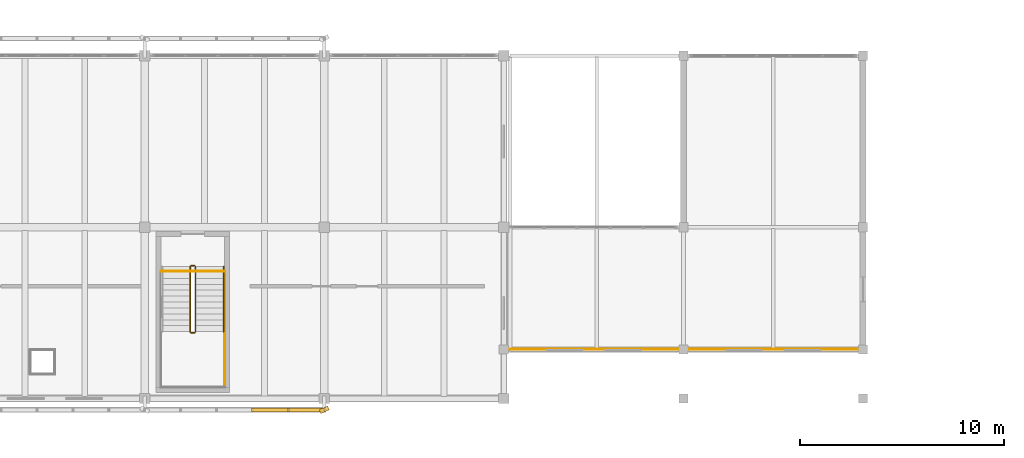
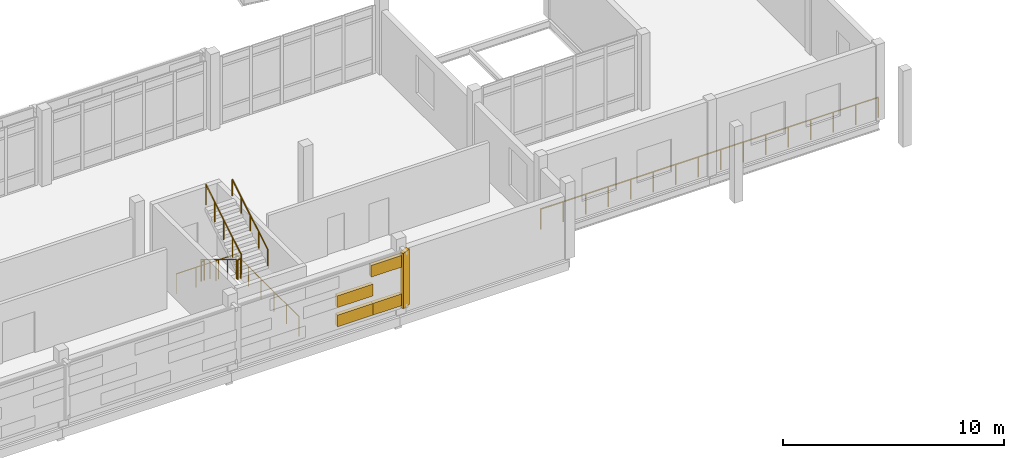
# One storey, part 126 of 137: 8 railings, 5 coverings.
"""IFC4 building model written with IfcOpenShell, lengths in metres."""

import ifcopenshell
import ifcopenshell.guid

model = None  # the IFC model being written
_history = None  # IfcOwnerHistory: only IFC2X3 demands one
_inside = {}  # id of a spatial element -> (the spatial element, [elements in it])
_under = {}  # id of a project, library or spatial element -> (it, [spatial elements below it])
_declared = {}  # id of a project -> (the project, [libraries it declares])
_typed = {}  # id of a type object -> (the type object, [elements of that type])
_made_of = {}  # id of a material, layer set ... -> (it, [elements and type objects made of it])


def new_model(schema):
    """Start an empty IFC model of exactly this schema.

    Asked for "IFC4X3", IfcOpenShell would pick the latest addendum, in which some entities
    have other attributes; the version numbers below select the first issue.
    IFC2X3 requires an IfcOwnerHistory on every rooted entity: one is made here for all.
    """
    global model, _history
    if schema == "IFC4X3":
        model = ifcopenshell.file(schema_version=(4, 3, 0, 0))
    else:
        model = ifcopenshell.file(schema=schema)
    _inside.clear()
    _under.clear()
    _declared.clear()
    _typed.clear()
    _made_of.clear()
    _history = None
    if model.schema == "IFC2X3":
        org = make("IfcOrganization", Name="unknown")
        user = make(
            "IfcPersonAndOrganization",
            ThePerson=make("IfcPerson", FamilyName="unknown"),
            TheOrganization=org,
        )
        app = make(
            "IfcApplication",
            ApplicationDeveloper=org,
            Version="unknown",
            ApplicationFullName="unknown",
            ApplicationIdentifier="unknown",
        )
        _history = make(
            "IfcOwnerHistory",
            OwningUser=user,
            OwningApplication=app,
            ChangeAction="ADDED",
            CreationDate=0,
        )
    return model


def make(cls, **values):
    """One entity of the class cls with the attributes given. An attribute that is None is left unset."""
    return model.create_entity(
        cls, **{name: value for name, value in values.items() if value is not None}
    )


def rooted(cls, **values):
    """An entity with a GlobalId (a new one), such as an element, a storey or a relation."""
    return make(cls, GlobalId=ifcopenshell.guid.new(), OwnerHistory=_history, **values)


def si_unit(unit_type, name, prefix=None):
    """IfcSIUnit, for example si_unit("LENGTHUNIT", "METRE", prefix="MILLI")."""
    return make("IfcSIUnit", UnitType=unit_type, Prefix=prefix, Name=name)


def assignment(units):
    """IfcUnitAssignment: the units of a project."""
    return None if units is None else make("IfcUnitAssignment", Units=units)


def point(xyz):
    """IfcCartesianPoint."""
    return None if xyz is None else make("IfcCartesianPoint", Coordinates=xyz)


def direction(xyz):
    """IfcDirection."""
    return None if xyz is None else make("IfcDirection", DirectionRatios=xyz)


def frame(location, z_axis=None, x_axis=None):
    """IfcAxis2Placement3D, a coordinate frame: its origin and axes. An axis left out is left unset."""
    return make(
        "IfcAxis2Placement3D",
        Location=point(location),
        Axis=direction(z_axis),
        RefDirection=direction(x_axis),
    )


def frame_2d(location, x_axis=None):
    """IfcAxis2Placement2D, a coordinate frame in the plane: its origin and x axis."""
    return make(
        "IfcAxis2Placement2D", Location=point(location), RefDirection=direction(x_axis)
    )


def origin():
    """The frame at (0, 0, 0) with its axes left unset."""
    return frame((0.0, 0.0, 0.0))


def origin_2d():
    """The frame at (0, 0) in the plane with its x axis left unset."""
    return frame_2d((0.0, 0.0))


def place(relative_to, where):
    """IfcLocalPlacement: puts the frame where relative to a parent placement (None: the world)."""
    return make(
        "IfcLocalPlacement", PlacementRelTo=relative_to, RelativePlacement=where
    )


def context(
    kind, dimensions, precision=None, world=None, true_north=None, identifier=None
):
    """IfcGeometricRepresentationContext, for example the 3D "Model" context."""
    return make(
        "IfcGeometricRepresentationContext",
        ContextIdentifier=identifier,
        ContextType=kind,
        CoordinateSpaceDimension=dimensions,
        Precision=precision,
        WorldCoordinateSystem=world,
        TrueNorth=true_north,
    )


def subcontext(parent, identifier, kind, view, scale=None):
    """IfcGeometricRepresentationSubContext, for example "Body" below "Model"."""
    return make(
        "IfcGeometricRepresentationSubContext",
        ContextIdentifier=identifier,
        ContextType=kind,
        ParentContext=parent,
        TargetScale=scale,
        TargetView=view,
    )


def project(units=None, contexts=None):
    """IfcProject with its units and contexts."""
    return rooted(
        "IfcProject",
        Name="project",
        RepresentationContexts=contexts,
        UnitsInContext=assignment(units),
    )


def spatial(cls, under=None, at=None, **own):
    """A site, building, storey or space (cls), placed at a placement, below another one or the project."""
    s = rooted(cls, ObjectPlacement=at, **own)
    if under is not None:
        _under.setdefault(under.id(), (under, []))[1].append(s)
    return s


def profile(cls, at=None, kind="AREA", **sizes):
    """A parametric profile (cls). Its sizes go by their IFC names, for example OverallWidth=200.0."""
    return make(cls, ProfileType=kind, Position=at, **sizes)


def rectangle(**sizes):
    """IfcRectangleProfileDef."""
    return profile("IfcRectangleProfileDef", **sizes)


def circle(**sizes):
    """IfcCircleProfileDef."""
    return profile("IfcCircleProfileDef", **sizes)


def extrude(swept, where, along, depth):
    """IfcExtrudedAreaSolid: the profile swept, set in the frame where, extruded along a direction by depth."""
    return make(
        "IfcExtrudedAreaSolid",
        SweptArea=swept,
        Position=where,
        ExtrudedDirection=direction(along),
        Depth=depth,
    )


def shape(context_of_items, identifier, shape_type, items):
    """IfcShapeRepresentation: the items that make up one representation, for example the "Body"."""
    return make(
        "IfcShapeRepresentation",
        ContextOfItems=context_of_items,
        RepresentationIdentifier=identifier,
        RepresentationType=shape_type,
        Items=items,
    )


def material(Name=None, Category=None):
    """IfcMaterial."""
    return make("IfcMaterial", Name=Name, Category=Category)


def layer(
    of_material, thickness, ventilated=None, Name=None, Category=None, Priority=None
):
    """IfcMaterialLayer: one layer of a wall or slab, of a material (None: an air gap)."""
    return make(
        "IfcMaterialLayer",
        Material=of_material,
        LayerThickness=thickness,
        IsVentilated=ventilated,
        Name=Name,
        Category=Category,
        Priority=Priority,
    )


def layer_set(layers, Name=None):
    """IfcMaterialLayerSet."""
    return make("IfcMaterialLayerSet", MaterialLayers=layers, LayerSetName=Name)


def made_of(thing, what):
    """Note that an element or type object is made of a material, layer set ...; save() writes the relation."""
    if what is not None:
        _made_of.setdefault(what.id(), (what, []))[1].append(thing)
    return thing


def type_object(cls, material=None, **own):
    """A type object (cls), such as IfcWallType, which elements share."""
    return made_of(rooted(cls, **own), material)


def element(
    cls,
    number,
    at=None,
    inside=None,
    cuts=None,
    type_object=None,
    material=None,
    context=None,
    identifier="Body",
    shape_type=None,
    held_by="IfcProductDefinitionShape",
    body=None,
    shapes=None,
    **own,
):
    """One element of the class cls, such as IfcWall. Its Tag is "e" and its number.

    at: its placement. inside: the storey or other place that contains it. cuts: it is an
    opening in that element (IfcRelVoidsElement). A single representation is given by context,
    identifier, shape_type and body (its items); several are given by shapes. held_by: the class
    of the entity that holds the representations. save() writes the other relations.
    """
    e = rooted(cls, Tag="e%d" % number, ObjectPlacement=at, **own)
    if body is not None:
        shapes = [shape(context, identifier, shape_type, body)]
    if shapes is not None:
        e.Representation = make(held_by, Representations=shapes)
    if inside is not None:
        _inside.setdefault(inside.id(), (inside, []))[1].append(e)
    if cuts is not None:
        rooted(
            "IfcRelVoidsElement", RelatingBuildingElement=cuts, RelatedOpeningElement=e
        )
    if type_object is not None:
        _typed.setdefault(type_object.id(), (type_object, []))[1].append(e)
    return made_of(e, material)


def aggregate(whole, parts):
    """IfcRelAggregates: a whole, such as a stair, and the parts it consists of."""
    return rooted("IfcRelAggregates", RelatingObject=whole, RelatedObjects=parts)


def save(model, path):
    """Write the relations noted so far, then the file.

    IfcRelAggregates (storeys below a building ...), IfcRelContainedInSpatialStructure (elements
    in a storey), IfcRelDefinesByType, IfcRelAssociatesMaterial and IfcRelDeclares: one each for
    every whole, place, type object, material and project.
    """
    for whole, parts in _under.values():
        aggregate(whole, parts)
    for where, things in _inside.values():
        rooted(
            "IfcRelContainedInSpatialStructure",
            RelatedElements=things,
            RelatingStructure=where,
        )
    for kind, things in _typed.values():
        rooted("IfcRelDefinesByType", RelatedObjects=things, RelatingType=kind)
    for what, things in _made_of.values():
        rooted("IfcRelAssociatesMaterial", RelatedObjects=things, RelatingMaterial=what)
    for by, libraries in _declared.values():
        rooted("IfcRelDeclares", RelatingContext=by, RelatedDefinitions=libraries)
    model.write(path)


model = new_model("IFC4")

# Units and contexts
model_context = context("Model", 3, precision=1e-05, world=origin(), true_north=direction((0.0, 1.0)))
body_context = subcontext(model_context, "Body", "Model", "MODEL_VIEW")
ifc_project = project(units=[si_unit("LENGTHUNIT", "METRE"), si_unit("AREAUNIT", "SQUARE_METRE"), si_unit("VOLUMEUNIT", "CUBIC_METRE"), si_unit("PLANEANGLEUNIT", "RADIAN"), si_unit("MASSUNIT", "GRAM", prefix="KILO")], contexts=[model_context])

# Site, building, storey
site_placement = place(None, origin())
site = spatial("IfcSite", under=ifc_project, at=site_placement, CompositionType="ELEMENT")
building_placement = place(site_placement, origin())
building = spatial("IfcBuilding", under=site, at=building_placement, Name="Cinderway Yard Community Centre", CompositionType="ELEMENT")
storey_placement = place(building_placement, frame((0.0, 0.0, 4.800048828125)))
storey = spatial("IfcBuildingStorey", under=building, at=storey_placement, Name="L01", CompositionType="ELEMENT", Elevation=4.800048828125)

# Coverings
ifc_material_1 = material(Name="Brick Masonry", Category="masonry")
ifc_layer = layer(ifc_material_1, 0.18994140625, Name="Brick Masonry")
ifc_layer_set = layer_set([ifc_layer], Name="Brick Masonry")
covering_type = type_object("IfcCoveringType", Name="ENV-COV-BRK-SCREEN", PredefinedType="CLADDING", material=ifc_layer_set)
covering_placement = place(storey_placement, frame((110.39990234375, 5.449951171875, 0.64990234375), z_axis=(0.0, 0.0, 1.0), x_axis=(-0.913545457643, -0.406736643076, 0.0)))
element("IfcCovering", 1, at=covering_placement, inside=storey, type_object=covering_type, Name="Deconstructivist folded brick fin 0751", PredefinedType="CLADDING", context=body_context, shape_type="SweptSolid", body=[
    extrude(rectangle(XDim=0.4599609375, YDim=0.199951171875, at=origin_2d()), origin(), (0.0, 0.0, 1.0), 3.050048828125),
])
for number, where, z_axis, x_axis, name in (
    (2, (107.760009765625, 5.449951171875, 0.7900390625), (0.0, 0.0, 1.0), (-1.0, 0.0, 0.0), "Open-bond perforated brick screen course 00804"),
    (3, (109.52001953125, 5.449951171875, 0.7900390625), (0.0, 0.0, 1.0), (-1.0, 0.0, 0.0), "Open-bond perforated brick screen course 00805"),
    (4, (107.760009765625, 5.449951171875, 1.85205078125), (0.0, 0.0, 1.0), (-1.0, 0.0, 0.0), "Open-bond perforated brick screen course 00808"),
    (5, (109.52001953125, 5.449951171875, 2.9140625), (0.0, 0.0, 1.0), (-1.0, 0.0, 0.0), "Open-bond perforated brick screen course 00811"),
):
    element("IfcCovering", number, at=place(storey_placement, frame(where, z_axis=z_axis, x_axis=x_axis)), inside=storey, type_object=covering_type, Name=name, PredefinedType="CLADDING", context=body_context, shape_type="SweptSolid", body=[
        extrude(rectangle(XDim=1.840087890625, YDim=0.18994140625, at=origin_2d()), origin(), (0.0, 0.0, 1.0), 0.64599609375),
    ])

# Railings
ifc_material_2 = material(Name="Painted Galvanised Steel", Category="steel")
railing_type_1 = type_object("IfcRailingType", Name="INT-RAL-BAL112", PredefinedType="BALUSTRADE", material=ifc_material_2)
railing_1_placement = place(storey_placement, frame((119.199951171875, 8.419921875, 0.0)))
element("IfcRailing", 6, at=railing_1_placement, inside=storey, type_object=railing_type_1, Name="East Storm Arcade Upper Guard 028", PredefinedType="BALUSTRADE", context=body_context, shape_type="SweptSolid", body=[
    extrude(circle(Radius=0.02392578125, at=origin_2d()), frame((0.0, 0.0, 1.09619140625), z_axis=(1.0, 0.0, 0.0), x_axis=(0.0, 1.0, 0.0)), (0.0, 0.0, 1.0), 17.60009765625),
    extrude(circle(Radius=0.02099609375, at=origin_2d()), origin(), (0.0, 0.0, 1.0), 1.072021484375),
    extrude(circle(Radius=0.02099609375, at=origin_2d()), frame((1.17333984375, 0.0, 0.0)), (0.0, 0.0, 1.0), 1.072021484375),
    extrude(circle(Radius=0.02099609375, at=origin_2d()), frame((2.3466796875, 0.0, 0.0)), (0.0, 0.0, 1.0), 1.072021484375),
    extrude(circle(Radius=0.02099609375, at=origin_2d()), frame((3.52001953125, 0.0, 0.0)), (0.0, 0.0, 1.0), 1.072021484375),
    extrude(circle(Radius=0.02099609375, at=origin_2d()), frame((4.693359375, 0.0, 0.0)), (0.0, 0.0, 1.0), 1.072021484375),
    extrude(circle(Radius=0.02099609375, at=origin_2d()), frame((5.86669921875, 0.0, 0.0)), (0.0, 0.0, 1.0), 1.072021484375),
    extrude(circle(Radius=0.02099609375, at=origin_2d()), frame((7.0400390625, 0.0, 0.0)), (0.0, 0.0, 1.0), 1.072021484375),
    extrude(circle(Radius=0.02099609375, at=origin_2d()), frame((8.21337890625, 0.0, 0.0)), (0.0, 0.0, 1.0), 1.072021484375),
    extrude(circle(Radius=0.02099609375, at=origin_2d()), frame((9.38671875, 0.0, 0.0)), (0.0, 0.0, 1.0), 1.072021484375),
    extrude(circle(Radius=0.02099609375, at=origin_2d()), frame((10.56005859375, 0.0, 0.0)), (0.0, 0.0, 1.0), 1.072021484375),
    extrude(circle(Radius=0.02099609375, at=origin_2d()), frame((11.7333984375, 0.0, 0.0)), (0.0, 0.0, 1.0), 1.072021484375),
    extrude(circle(Radius=0.02099609375, at=origin_2d()), frame((12.90673828125, 0.0, 0.0)), (0.0, 0.0, 1.0), 1.072021484375),
    extrude(circle(Radius=0.02099609375, at=origin_2d()), frame((14.080078125, 0.0, 0.0)), (0.0, 0.0, 1.0), 1.072021484375),
    extrude(circle(Radius=0.02099609375, at=origin_2d()), frame((15.25341796875, 0.0, 0.0)), (0.0, 0.0, 1.0), 1.072021484375),
    extrude(circle(Radius=0.02099609375, at=origin_2d()), frame((16.4267578125, 0.0, 0.0)), (0.0, 0.0, 1.0), 1.072021484375),
    extrude(circle(Radius=0.02099609375, at=origin_2d()), frame((17.60009765625, 0.0, 0.0)), (0.0, 0.0, 1.0), 1.072021484375),
])
railing_type_2 = type_object("IfcRailingType", Name="INT-RAL-GRD112", PredefinedType="GUARDRAIL", material=ifc_material_2)
railing_2_placement = place(storey_placement, frame((103.830078125, 12.469970703125, 0.175048828125)))
element("IfcRailing", 7, at=railing_2_placement, inside=storey, type_object=railing_type_2, Name="L01 ST-10 stair guard 1", PredefinedType="GUARDRAIL", context=body_context, shape_type="SweptSolid", body=[
    extrude(circle(Radius=0.02392578125, at=origin_2d()), frame((0.0, 0.0, 1.076171875), z_axis=(0.0, -0.856206652436, 0.516633495163), x_axis=(1.0, 0.0, 0.0)), (0.0, 0.0, 1.0), 3.7255859375),
    extrude(circle(Radius=0.02099609375, at=origin_2d()), origin(), (0.0, 0.0, 1.0), 1.052001953125),
    extrude(circle(Radius=0.02099609375, at=origin_2d()), frame((0.0, -0.79736328125, 0.481201171875)), (0.0, 0.0, 1.0), 1.052001953125),
    extrude(circle(Radius=0.02099609375, at=origin_2d()), frame((0.0, -1.594970703125, 0.96240234375)), (0.0, 0.0, 1.0), 1.052001953125),
    extrude(circle(Radius=0.02099609375, at=origin_2d()), frame((0.0, -2.392578125, 1.443603515625)), (0.0, 0.0, 1.0), 1.052001953125),
    extrude(circle(Radius=0.02099609375, at=origin_2d()), frame((0.0, -3.18994140625, 1.9248046875)), (0.0, 0.0, 1.0), 1.052001953125),
])
railing_3_placement = place(storey_placement, frame((103.8798828125, 9.22998046875, 2.099853515625)))
element("IfcRailing", 8, at=railing_3_placement, inside=storey, type_object=railing_type_2, Name="L01 ST-10 stair guard 2", PredefinedType="GUARDRAIL", context=body_context, shape_type="SweptSolid", body=[
    extrude(circle(Radius=0.02392578125, at=origin_2d()), frame((0.0, 0.0, 1.076171875), z_axis=(1.0, 0.0, 0.0), x_axis=(0.0, 1.0, 0.0)), (0.0, 0.0, 1.0), 0.16015625),
    extrude(circle(Radius=0.02099609375, at=origin_2d()), origin(), (0.0, 0.0, 1.0), 1.052001953125),
    extrude(circle(Radius=0.02099609375, at=origin_2d()), frame((0.16015625, 0.0, 0.0)), (0.0, 0.0, 1.0), 1.052001953125),
])
railing_4_placement = place(storey_placement, frame((104.090087890625, 9.280029296875, 2.27490234375)))
element("IfcRailing", 9, at=railing_4_placement, inside=storey, type_object=railing_type_2, Name="L01 ST-10 stair guard 3", PredefinedType="GUARDRAIL", context=body_context, shape_type="SweptSolid", body=[
    extrude(circle(Radius=0.02392578125, at=origin_2d()), frame((0.0, 0.0, 1.076171875), z_axis=(0.0, 0.856177665481, 0.516681531633), x_axis=(-1.0, 0.0, 0.0)), (0.0, 0.0, 1.0), 3.725830078125),
    extrude(circle(Radius=0.02099609375, at=origin_2d()), origin(), (0.0, 0.0, 1.0), 1.052001953125),
    extrude(circle(Radius=0.02099609375, at=origin_2d()), frame((0.0, 0.79736328125, 0.481201171875)), (0.0, 0.0, 1.0), 1.052001953125),
    extrude(circle(Radius=0.02099609375, at=origin_2d()), frame((0.0, 1.594970703125, 0.96240234375)), (0.0, 0.0, 1.0), 1.052001953125),
    extrude(circle(Radius=0.02099609375, at=origin_2d()), frame((0.0, 2.392578125, 1.44384765625)), (0.0, 0.0, 1.0), 1.052001953125),
    extrude(circle(Radius=0.02099609375, at=origin_2d()), frame((0.0, 3.18994140625, 1.925048828125)), (0.0, 0.0, 1.0), 1.052001953125),
])
railing_5_placement = place(storey_placement, frame((103.8798828125, 12.52001953125, 0.0)))
element("IfcRailing", 10, at=railing_5_placement, inside=storey, type_object=railing_type_2, Name="L01 ST-10 stair guard 4", PredefinedType="GUARDRAIL", context=body_context, shape_type="SweptSolid", body=[
    extrude(circle(Radius=0.02392578125, at=origin_2d()), frame((0.0, 0.0, 1.076171875), z_axis=(1.0, 0.0, 0.0), x_axis=(0.0, 1.0, 0.0)), (0.0, 0.0, 1.0), 0.16015625),
    extrude(circle(Radius=0.02099609375, at=origin_2d()), origin(), (0.0, 0.0, 1.0), 1.052001953125),
    extrude(circle(Radius=0.02099609375, at=origin_2d()), frame((0.16015625, 0.0, 0.0)), (0.0, 0.0, 1.0), 1.052001953125),
])
railing_6_placement = place(storey_placement, frame((105.52001953125, 6.550048828125, 0.0)))
element("IfcRailing", 11, at=railing_6_placement, inside=storey, type_object=railing_type_2, Name="Service void perimeter guard L01 081", PredefinedType="GUARDRAIL", context=body_context, shape_type="SweptSolid", body=[
    extrude(circle(Radius=0.02392578125, at=origin_2d()), frame((0.0, 0.0, 1.09619140625), z_axis=(0.0, 1.0, 0.0), x_axis=(-1.0, 0.0, 0.0)), (0.0, 0.0, 1.0), 5.679931640625),
    extrude(circle(Radius=0.02099609375, at=origin_2d()), origin(), (0.0, 0.0, 1.0), 1.072021484375),
    extrude(circle(Radius=0.02099609375, at=origin_2d()), frame((0.0, 1.135986328125, 0.0)), (0.0, 0.0, 1.0), 1.072021484375),
    extrude(circle(Radius=0.02099609375, at=origin_2d()), frame((0.0, 2.27197265625, 0.0)), (0.0, 0.0, 1.0), 1.072021484375),
    extrude(circle(Radius=0.02099609375, at=origin_2d()), frame((0.0, 3.407958984375, 0.0)), (0.0, 0.0, 1.0), 1.072021484375),
    extrude(circle(Radius=0.02099609375, at=origin_2d()), frame((0.0, 4.5439453125, 0.0)), (0.0, 0.0, 1.0), 1.072021484375),
    extrude(circle(Radius=0.02099609375, at=origin_2d()), frame((0.0, 5.679931640625, 0.0)), (0.0, 0.0, 1.0), 1.072021484375),
])
railing_7_placement = place(storey_placement, frame((105.52001953125, 12.22998046875, 0.0)))
element("IfcRailing", 12, at=railing_7_placement, inside=storey, type_object=railing_type_2, Name="Service void perimeter guard L01 082", PredefinedType="GUARDRAIL", context=body_context, shape_type="SweptSolid", body=[
    extrude(circle(Radius=0.02392578125, at=origin_2d()), frame((0.0, 0.0, 1.09619140625), z_axis=(-1.0, 0.0, 0.0), x_axis=(0.0, -1.0, 0.0)), (0.0, 0.0, 1.0), 3.1201171875),
    extrude(circle(Radius=0.02099609375, at=origin_2d()), origin(), (0.0, 0.0, 1.0), 1.072021484375),
    extrude(circle(Radius=0.02099609375, at=origin_2d()), frame((-1.0400390625, 0.0, 0.0)), (0.0, 0.0, 1.0), 1.072021484375),
    extrude(circle(Radius=0.02099609375, at=origin_2d()), frame((-2.080078125, 0.0, 0.0)), (0.0, 0.0, 1.0), 1.072021484375),
    extrude(circle(Radius=0.02099609375, at=origin_2d()), frame((-3.1201171875, 0.0, 0.0)), (0.0, 0.0, 1.0), 1.072021484375),
])
railing_type_3 = type_object("IfcRailingType", Name="INT-RAL-HND090", PredefinedType="HANDRAIL", material=ifc_material_2)
railing_8_placement = place(storey_placement, frame((105.469970703125, 9.280029296875, 2.27490234375)))
element("IfcRailing", 13, at=railing_8_placement, inside=storey, type_object=railing_type_3, Name="L01 ST-10 stair handrail 2", PredefinedType="HANDRAIL", context=body_context, shape_type="SweptSolid", body=[
    extrude(circle(Radius=0.02392578125, at=origin_2d()), frame((0.0, 0.0, 0.8759765625), z_axis=(0.0, 0.856177665481, 0.516681531633), x_axis=(-1.0, 0.0, 0.0)), (0.0, 0.0, 1.0), 3.725830078125),
    extrude(circle(Radius=0.02099609375, at=origin_2d()), origin(), (0.0, 0.0, 1.0), 0.851806640625),
    extrude(circle(Radius=0.02099609375, at=origin_2d()), frame((0.0, 0.79736328125, 0.481201171875)), (0.0, 0.0, 1.0), 0.851806640625),
    extrude(circle(Radius=0.02099609375, at=origin_2d()), frame((0.0, 1.594970703125, 0.96240234375)), (0.0, 0.0, 1.0), 0.851806640625),
    extrude(circle(Radius=0.02099609375, at=origin_2d()), frame((0.0, 2.392578125, 1.44384765625)), (0.0, 0.0, 1.0), 0.851806640625),
    extrude(circle(Radius=0.02099609375, at=origin_2d()), frame((0.0, 3.18994140625, 1.925048828125)), (0.0, 0.0, 1.0), 0.851806640625),
])

save(model, "model.ifc")
